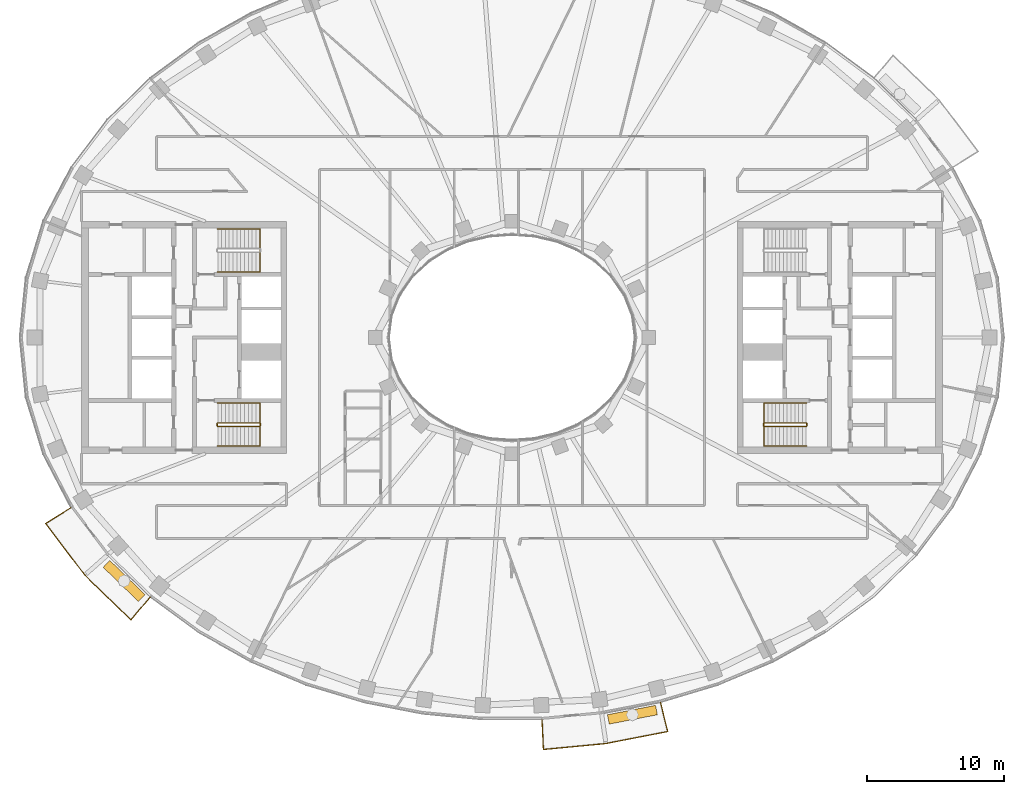
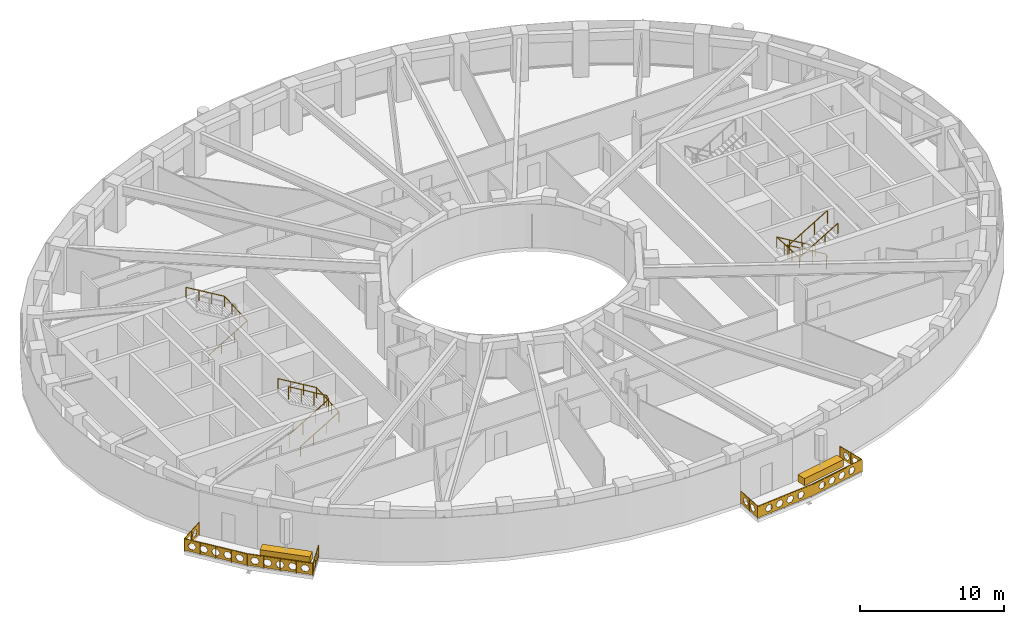
# One storey, part 14 of 16: 7 railings, 2 coverings.
"""IFC4 building model written with IfcOpenShell, lengths in metres."""

from ifc_helpers import new_model, si_unit, direction, frame, origin, origin_2d, place, context, subcontext, project, spatial, polyline, rectangle, outline, extrude, material, type_object, element, save


model = new_model("IFC4")

# Units and contexts
model_context = context("Model", 3, precision=1e-05, world=origin(), true_north=direction((0.0, 1.0)))
body_context = subcontext(model_context, "Body", "Model", "MODEL_VIEW")
ifc_project = project(units=[si_unit("LENGTHUNIT", "METRE"), si_unit("AREAUNIT", "SQUARE_METRE"), si_unit("VOLUMEUNIT", "CUBIC_METRE"), si_unit("PLANEANGLEUNIT", "RADIAN"), si_unit("MASSUNIT", "GRAM", prefix="KILO")], contexts=[model_context])

# Site, building, storey
site_placement = place(None, origin())
site = spatial("IfcSite", under=ifc_project, at=site_placement, CompositionType="ELEMENT")
building_placement = place(site_placement, origin())
building = spatial("IfcBuilding", under=site, at=building_placement, Name="Noorbagh Ring Tower", CompositionType="ELEMENT")
storey_placement = place(building_placement, frame((0.0, 0.0, 245.5)))
storey = spatial("IfcBuildingStorey", under=building, at=storey_placement, Name="L51", CompositionType="ELEMENT", Elevation=245.5)

# Railings
ifc_material_1 = material(Name="Stainless steel", Category="steel")
railing_type_1 = type_object("IfcRailingType", Name="CORE-STAIR-GUARD", PredefinedType="GUARDRAIL", material=ifc_material_1)
railing_1_placement = place(storey_placement, frame((-21.580078125, -6.449951171875, 0.0)))
element("IfcRailing", 1, at=railing_1_placement, inside=storey, type_object=railing_type_1, Name="L51 ST2 stair guard", PredefinedType="GUARDRAIL", context=body_context, shape_type="SweptSolid", body=[
    extrude(rectangle(XDim=0.048095703125, YDim=0.048095703125, at=origin_2d()), frame((0.0, 0.0, 1.076171875), z_axis=(0.0, 1.0, 0.0), x_axis=(-1.0, 0.0, 0.0)), (0.0, 0.0, 1.0), 0.14990234375),
    extrude(rectangle(XDim=0.048095703125, YDim=0.048095703125, at=origin_2d()), frame((0.0, 0.14990234375, 1.076171875), z_axis=(0.188775798145, -0.754182335027, 0.628945707965), x_axis=(0.970072785993, 0.242814311512, 0.0)), (0.0, 0.0, 1.0), 0.26513671875),
    extrude(rectangle(XDim=0.048095703125, YDim=0.048095703125, at=origin_2d()), frame((0.050048828125, -0.050048828125, 1.24267578125), z_axis=(0.859308565015, 0.0, 0.511457515432), x_axis=(0.0, 1.0, 0.0)), (0.0, 0.0, 1.0), 3.58447265625),
    extrude(rectangle(XDim=0.048095703125, YDim=0.048095703125, at=origin_2d()), frame((3.130126953125, -0.050048828125, 3.076171875), z_axis=(0.707106781187, 0.707106781187, 0.0), x_axis=(-0.707106781187, 0.707106781187, 0.0)), (0.0, 0.0, 1.0), 0.07080078125),
    extrude(rectangle(XDim=0.048095703125, YDim=0.048095703125, at=origin_2d()), frame((3.18017578125, 0.0, 3.076171875), z_axis=(0.0, 1.0, 0.0), x_axis=(-1.0, 0.0, 0.0)), (0.0, 0.0, 1.0), 0.14990234375),
    extrude(rectangle(XDim=0.048095703125, YDim=0.048095703125, at=origin_2d()), frame((3.18017578125, 0.14990234375, 3.076171875), z_axis=(-0.27628659633, 0.27628659633, 0.920506074601), x_axis=(-0.707106781187, -0.707106781187, 0.0)), (0.0, 0.0, 1.0), 0.18115234375),
    extrude(rectangle(XDim=0.048095703125, YDim=0.048095703125, at=origin_2d()), frame((3.130126953125, 0.199951171875, 3.24267578125), z_axis=(-0.859308565015, 0.0, 0.511457515432), x_axis=(0.0, -1.0, 0.0)), (0.0, 0.0, 1.0), 3.58447265625),
    extrude(rectangle(XDim=0.0419921875, YDim=0.0419921875, at=origin_2d()), origin(), (0.0, 0.0, 1.0), 1.052001953125),
    extrude(rectangle(XDim=0.0419921875, YDim=0.0419921875, at=origin_2d()), frame((1.07666015625, -0.050048828125, 0.77783203125)), (0.0, 0.0, 1.0), 1.052001953125),
    extrude(rectangle(XDim=0.0419921875, YDim=0.0419921875, at=origin_2d()), frame((2.103515625, -0.050048828125, 1.388916015625)), (0.0, 0.0, 1.0), 1.052001953125),
    extrude(rectangle(XDim=0.0419921875, YDim=0.0419921875, at=origin_2d()), frame((3.130126953125, -0.050048828125, 2.0)), (0.0, 0.0, 1.0), 1.052001953125),
    extrude(rectangle(XDim=0.0419921875, YDim=0.0419921875, at=origin_2d()), frame((3.130126953125, 0.199951171875, 2.166748046875)), (0.0, 0.0, 1.0), 1.052001953125),
    extrude(rectangle(XDim=0.0419921875, YDim=0.0419921875, at=origin_2d()), frame((2.103515625, 0.199951171875, 2.77783203125)), (0.0, 0.0, 1.0), 1.052001953125),
    extrude(rectangle(XDim=0.0419921875, YDim=0.0419921875, at=origin_2d()), frame((1.07666015625, 0.199951171875, 3.388916015625)), (0.0, 0.0, 1.0), 1.052001953125),
    extrude(rectangle(XDim=0.0419921875, YDim=0.0419921875, at=origin_2d()), frame((0.050048828125, 0.199951171875, 4.0)), (0.0, 0.0, 1.0), 1.052001953125),
])
railing_2_placement = place(storey_placement, frame((21.580078125, -6.300048828125, 0.0)))
element("IfcRailing", 2, at=railing_2_placement, inside=storey, type_object=railing_type_1, Name="L51 ST4 stair guard", PredefinedType="GUARDRAIL", context=body_context, shape_type="SweptSolid", body=[
    extrude(rectangle(XDim=0.048095703125, YDim=0.048095703125, at=origin_2d()), frame((0.0, 0.0, 1.076171875), z_axis=(0.0, -1.0, 0.0), x_axis=(1.0, 0.0, 0.0)), (0.0, 0.0, 1.0), 0.14990234375),
    extrude(rectangle(XDim=0.048095703125, YDim=0.048095703125, at=origin_2d()), frame((0.0, -0.14990234375, 1.076171875), z_axis=(-0.188775798145, 0.754182335027, 0.628945707965), x_axis=(-0.970072785993, -0.242814311512, 0.0)), (0.0, 0.0, 1.0), 0.26513671875),
    extrude(rectangle(XDim=0.048095703125, YDim=0.048095703125, at=origin_2d()), frame((-0.050048828125, 0.050048828125, 1.24267578125), z_axis=(-0.859308565015, 0.0, 0.511457515432), x_axis=(0.0, -1.0, 0.0)), (0.0, 0.0, 1.0), 3.58447265625),
    extrude(rectangle(XDim=0.048095703125, YDim=0.048095703125, at=origin_2d()), frame((-3.130126953125, 0.050048828125, 3.076171875), z_axis=(-0.707106781187, -0.707106781187, 0.0), x_axis=(0.707106781187, -0.707106781187, 0.0)), (0.0, 0.0, 1.0), 0.07080078125),
    extrude(rectangle(XDim=0.048095703125, YDim=0.048095703125, at=origin_2d()), frame((-3.18017578125, 0.0, 3.076171875), z_axis=(0.0, -1.0, 0.0), x_axis=(1.0, 0.0, 0.0)), (0.0, 0.0, 1.0), 0.14990234375),
    extrude(rectangle(XDim=0.048095703125, YDim=0.048095703125, at=origin_2d()), frame((-3.18017578125, -0.14990234375, 3.076171875), z_axis=(0.27628659633, -0.27628659633, 0.920506074601), x_axis=(0.707106781187, 0.707106781187, 0.0)), (0.0, 0.0, 1.0), 0.18115234375),
    extrude(rectangle(XDim=0.048095703125, YDim=0.048095703125, at=origin_2d()), frame((-3.130126953125, -0.199951171875, 3.24267578125), z_axis=(0.859308565015, 0.0, 0.511457515432), x_axis=(0.0, 1.0, 0.0)), (0.0, 0.0, 1.0), 3.58447265625),
    extrude(rectangle(XDim=0.0419921875, YDim=0.0419921875, at=origin_2d()), origin(), (0.0, 0.0, 1.0), 1.052001953125),
    extrude(rectangle(XDim=0.0419921875, YDim=0.0419921875, at=origin_2d()), frame((-1.07666015625, 0.050048828125, 0.77783203125)), (0.0, 0.0, 1.0), 1.052001953125),
    extrude(rectangle(XDim=0.0419921875, YDim=0.0419921875, at=origin_2d()), frame((-2.103515625, 0.050048828125, 1.388916015625)), (0.0, 0.0, 1.0), 1.052001953125),
    extrude(rectangle(XDim=0.0419921875, YDim=0.0419921875, at=origin_2d()), frame((-3.130126953125, 0.050048828125, 2.0)), (0.0, 0.0, 1.0), 1.052001953125),
    extrude(rectangle(XDim=0.0419921875, YDim=0.0419921875, at=origin_2d()), frame((-3.130126953125, -0.199951171875, 2.166748046875)), (0.0, 0.0, 1.0), 1.052001953125),
    extrude(rectangle(XDim=0.0419921875, YDim=0.0419921875, at=origin_2d()), frame((-2.103515625, -0.199951171875, 2.77783203125)), (0.0, 0.0, 1.0), 1.052001953125),
    extrude(rectangle(XDim=0.0419921875, YDim=0.0419921875, at=origin_2d()), frame((-1.07666015625, -0.199951171875, 3.388916015625)), (0.0, 0.0, 1.0), 1.052001953125),
    extrude(rectangle(XDim=0.0419921875, YDim=0.0419921875, at=origin_2d()), frame((-0.050048828125, -0.199951171875, 4.0)), (0.0, 0.0, 1.0), 1.052001953125),
])
ifc_material_2 = material(Name="Stainless steel", Category="steel")
railing_type_2 = type_object("IfcRailingType", Name="CORE-STAIR-HANDRAIL", PredefinedType="HANDRAIL", material=ifc_material_2)
railing_3_placement = place(storey_placement, frame((-21.530029296875, 4.800048828125, 0.166748046875)))
element("IfcRailing", 3, at=railing_3_placement, inside=storey, type_object=railing_type_2, Name="L51 ST1 stair handrail", PredefinedType="HANDRAIL", context=body_context, shape_type="SweptSolid", body=[
    extrude(rectangle(XDim=0.048095703125, YDim=0.048095703125, at=origin_2d()), frame((0.0, 0.0, 0.8759765625), z_axis=(0.859308565015, 0.0, 0.511457515432), x_axis=(0.0, 1.0, 0.0)), (0.0, 0.0, 1.0), 3.58447265625),
    extrude(rectangle(XDim=0.048095703125, YDim=0.048095703125, at=origin_2d()), frame((3.080078125, 0.0, 2.708984375), z_axis=(0.0, 0.998601747152, 0.052863509014), x_axis=(-1.0, 0.0, 0.0)), (0.0, 0.0, 1.0), 3.154296875),
    extrude(rectangle(XDim=0.048095703125, YDim=0.048095703125, at=origin_2d()), frame((3.080078125, 3.14990234375, 2.8759765625), z_axis=(-0.859308565015, 0.0, 0.511457515432), x_axis=(0.0, -1.0, 0.0)), (0.0, 0.0, 1.0), 3.58447265625),
    extrude(rectangle(XDim=0.0419921875, YDim=0.0419921875, at=origin_2d()), origin(), (0.0, 0.0, 1.0), 0.851806640625),
    extrude(rectangle(XDim=0.0419921875, YDim=0.0419921875, at=origin_2d()), frame((1.026611328125, 0.0, 0.611083984375)), (0.0, 0.0, 1.0), 0.851806640625),
    extrude(rectangle(XDim=0.0419921875, YDim=0.0419921875, at=origin_2d()), frame((2.053466796875, 0.0, 1.22216796875)), (0.0, 0.0, 1.0), 0.851806640625),
    extrude(rectangle(XDim=0.0419921875, YDim=0.0419921875, at=origin_2d()), frame((3.080078125, 0.0, 1.833251953125)), (0.0, 0.0, 1.0), 0.851806640625),
    extrude(rectangle(XDim=0.0419921875, YDim=0.0419921875, at=origin_2d()), frame((3.080078125, 1.050048828125, 1.888916015625)), (0.0, 0.0, 1.0), 0.851806640625),
    extrude(rectangle(XDim=0.0419921875, YDim=0.0419921875, at=origin_2d()), frame((3.080078125, 2.099853515625, 1.9443359375)), (0.0, 0.0, 1.0), 0.851806640625),
    extrude(rectangle(XDim=0.0419921875, YDim=0.0419921875, at=origin_2d()), frame((3.080078125, 3.14990234375, 2.0)), (0.0, 0.0, 1.0), 0.851806640625),
    extrude(rectangle(XDim=0.0419921875, YDim=0.0419921875, at=origin_2d()), frame((2.053466796875, 3.14990234375, 2.611083984375)), (0.0, 0.0, 1.0), 0.851806640625),
    extrude(rectangle(XDim=0.0419921875, YDim=0.0419921875, at=origin_2d()), frame((1.026611328125, 3.14990234375, 3.22216796875)), (0.0, 0.0, 1.0), 0.851806640625),
    extrude(rectangle(XDim=0.0419921875, YDim=0.0419921875, at=origin_2d()), frame((0.0, 3.14990234375, 3.833251953125)), (0.0, 0.0, 1.0), 0.851806640625),
])
railing_4_placement = place(storey_placement, frame((-21.530029296875, -7.949951171875, 0.166748046875)))
element("IfcRailing", 4, at=railing_4_placement, inside=storey, type_object=railing_type_2, Name="L51 ST2 stair handrail", PredefinedType="HANDRAIL", context=body_context, shape_type="SweptSolid", body=[
    extrude(rectangle(XDim=0.048095703125, YDim=0.048095703125, at=origin_2d()), frame((0.0, 0.0, 0.8759765625), z_axis=(0.859308565015, 0.0, 0.511457515432), x_axis=(0.0, 1.0, 0.0)), (0.0, 0.0, 1.0), 3.58447265625),
    extrude(rectangle(XDim=0.048095703125, YDim=0.048095703125, at=origin_2d()), frame((3.080078125, 0.0, 2.708984375), z_axis=(0.0, 0.998601747152, 0.052863509014), x_axis=(-1.0, 0.0, 0.0)), (0.0, 0.0, 1.0), 3.154296875),
    extrude(rectangle(XDim=0.048095703125, YDim=0.048095703125, at=origin_2d()), frame((3.080078125, 3.14990234375, 2.8759765625), z_axis=(-0.859308565015, 0.0, 0.511457515432), x_axis=(0.0, -1.0, 0.0)), (0.0, 0.0, 1.0), 3.58447265625),
    extrude(rectangle(XDim=0.0419921875, YDim=0.0419921875, at=origin_2d()), origin(), (0.0, 0.0, 1.0), 0.851806640625),
    extrude(rectangle(XDim=0.0419921875, YDim=0.0419921875, at=origin_2d()), frame((1.026611328125, 0.0, 0.611083984375)), (0.0, 0.0, 1.0), 0.851806640625),
    extrude(rectangle(XDim=0.0419921875, YDim=0.0419921875, at=origin_2d()), frame((2.053466796875, 0.0, 1.22216796875)), (0.0, 0.0, 1.0), 0.851806640625),
    extrude(rectangle(XDim=0.0419921875, YDim=0.0419921875, at=origin_2d()), frame((3.080078125, 0.0, 1.833251953125)), (0.0, 0.0, 1.0), 0.851806640625),
    extrude(rectangle(XDim=0.0419921875, YDim=0.0419921875, at=origin_2d()), frame((3.080078125, 1.050048828125, 1.888916015625)), (0.0, 0.0, 1.0), 0.851806640625),
    extrude(rectangle(XDim=0.0419921875, YDim=0.0419921875, at=origin_2d()), frame((3.080078125, 2.099853515625, 1.9443359375)), (0.0, 0.0, 1.0), 0.851806640625),
    extrude(rectangle(XDim=0.0419921875, YDim=0.0419921875, at=origin_2d()), frame((3.080078125, 3.14990234375, 2.0)), (0.0, 0.0, 1.0), 0.851806640625),
    extrude(rectangle(XDim=0.0419921875, YDim=0.0419921875, at=origin_2d()), frame((2.053466796875, 3.14990234375, 2.611083984375)), (0.0, 0.0, 1.0), 0.851806640625),
    extrude(rectangle(XDim=0.0419921875, YDim=0.0419921875, at=origin_2d()), frame((1.026611328125, 3.14990234375, 3.22216796875)), (0.0, 0.0, 1.0), 0.851806640625),
    extrude(rectangle(XDim=0.0419921875, YDim=0.0419921875, at=origin_2d()), frame((0.0, 3.14990234375, 3.833251953125)), (0.0, 0.0, 1.0), 0.851806640625),
])
railing_5_placement = place(storey_placement, frame((21.530029296875, -4.800048828125, 0.166748046875)))
element("IfcRailing", 5, at=railing_5_placement, inside=storey, type_object=railing_type_2, Name="L51 ST4 stair handrail", PredefinedType="HANDRAIL", context=body_context, shape_type="SweptSolid", body=[
    extrude(rectangle(XDim=0.048095703125, YDim=0.048095703125, at=origin_2d()), frame((0.0, 0.0, 0.8759765625), z_axis=(-0.859308565015, 0.0, 0.511457515432), x_axis=(0.0, -1.0, 0.0)), (0.0, 0.0, 1.0), 3.58447265625),
    extrude(rectangle(XDim=0.048095703125, YDim=0.048095703125, at=origin_2d()), frame((-3.080078125, 0.0, 2.708984375), z_axis=(0.0, -0.998601747152, 0.052863509014), x_axis=(1.0, 0.0, 0.0)), (0.0, 0.0, 1.0), 3.154296875),
    extrude(rectangle(XDim=0.048095703125, YDim=0.048095703125, at=origin_2d()), frame((-3.080078125, -3.14990234375, 2.8759765625), z_axis=(0.859308565015, 0.0, 0.511457515432), x_axis=(0.0, 1.0, 0.0)), (0.0, 0.0, 1.0), 3.58447265625),
    extrude(rectangle(XDim=0.0419921875, YDim=0.0419921875, at=origin_2d()), origin(), (0.0, 0.0, 1.0), 0.851806640625),
    extrude(rectangle(XDim=0.0419921875, YDim=0.0419921875, at=origin_2d()), frame((-1.026611328125, 0.0, 0.611083984375)), (0.0, 0.0, 1.0), 0.851806640625),
    extrude(rectangle(XDim=0.0419921875, YDim=0.0419921875, at=origin_2d()), frame((-2.053466796875, 0.0, 1.22216796875)), (0.0, 0.0, 1.0), 0.851806640625),
    extrude(rectangle(XDim=0.0419921875, YDim=0.0419921875, at=origin_2d()), frame((-3.080078125, 0.0, 1.833251953125)), (0.0, 0.0, 1.0), 0.851806640625),
    extrude(rectangle(XDim=0.0419921875, YDim=0.0419921875, at=origin_2d()), frame((-3.080078125, -1.050048828125, 1.888916015625)), (0.0, 0.0, 1.0), 0.851806640625),
    extrude(rectangle(XDim=0.0419921875, YDim=0.0419921875, at=origin_2d()), frame((-3.080078125, -2.099853515625, 1.9443359375)), (0.0, 0.0, 1.0), 0.851806640625),
    extrude(rectangle(XDim=0.0419921875, YDim=0.0419921875, at=origin_2d()), frame((-3.080078125, -3.14990234375, 2.0)), (0.0, 0.0, 1.0), 0.851806640625),
    extrude(rectangle(XDim=0.0419921875, YDim=0.0419921875, at=origin_2d()), frame((-2.053466796875, -3.14990234375, 2.611083984375)), (0.0, 0.0, 1.0), 0.851806640625),
    extrude(rectangle(XDim=0.0419921875, YDim=0.0419921875, at=origin_2d()), frame((-1.026611328125, -3.14990234375, 3.22216796875)), (0.0, 0.0, 1.0), 0.851806640625),
    extrude(rectangle(XDim=0.0419921875, YDim=0.0419921875, at=origin_2d()), frame((0.0, -3.14990234375, 3.833251953125)), (0.0, 0.0, 1.0), 0.851806640625),
])
ifc_material_3 = material(Name="Steel S275 black powder-coated", Category="steel")
railing_type_3 = type_object("IfcRailingType", Name="ENV-GUARD", PredefinedType="GUARDRAIL", material=ifc_material_3)
railing_6_placement = place(storey_placement, frame((-32.255126953125, -12.434814453125, 0.0)))
element("IfcRailing", 6, at=railing_6_placement, inside=storey, type_object=railing_type_3, Name="Balcony guard BS01", PredefinedType="GUARDRAIL", context=body_context, shape_type="SweptSolid", body=[
    extrude(rectangle(XDim=0.048095703125, YDim=0.048095703125, at=origin_2d()), frame((0.0, 0.0, 1.076171875), z_axis=(-0.844852397829, -0.534999463442, 0.0), x_axis=(0.534999463442, -0.844852397829, 0.0)), (0.0, 0.0, 1.0), 2.207763671875),
    extrude(rectangle(XDim=0.048095703125, YDim=0.048095703125, at=origin_2d()), frame((-1.865234375, -1.18115234375, 1.076171875), z_axis=(0.604001613322, -0.796983093362, 0.0), x_axis=(0.796983093362, 0.604001613322, 0.0)), (0.0, 0.0, 1.0), 4.7353515625),
    extrude(rectangle(XDim=0.048095703125, YDim=0.048095703125, at=origin_2d()), frame((0.994873046875, -4.955078125, 1.076171875), z_axis=(0.717212632946, -0.696854388766, 0.0), x_axis=(0.696854388766, 0.717212632946, 0.0)), (0.0, 0.0, 1.0), 4.700927734375),
    extrude(rectangle(XDim=0.048095703125, YDim=0.048095703125, at=origin_2d()), frame((4.366455078125, -8.23095703125, 1.076171875), z_axis=(0.646413574048, 0.762987215677, 0.0), x_axis=(-0.762987215677, 0.646413574048, 0.0)), (0.0, 0.0, 1.0), 2.205322265625),
    extrude(rectangle(XDim=0.0419921875, YDim=0.0419921875, at=origin_2d()), origin(), (0.0, 0.0, 1.0), 1.052001953125),
    extrude(rectangle(XDim=0.0419921875, YDim=0.0419921875, at=origin_2d()), frame((-0.9326171875, -0.590576171875, 0.0)), (0.0, 0.0, 1.0), 1.052001953125),
    extrude(rectangle(XDim=0.0419921875, YDim=0.0419921875, at=origin_2d()), frame((-1.865234375, -1.18115234375, 0.0)), (0.0, 0.0, 1.0), 1.052001953125),
    extrude(rectangle(XDim=0.0419921875, YDim=0.0419921875, at=origin_2d()), frame((-1.150146484375, -2.12451171875, 0.0)), (0.0, 0.0, 1.0), 1.052001953125),
    extrude(rectangle(XDim=0.0419921875, YDim=0.0419921875, at=origin_2d()), frame((-0.43505859375, -3.068115234375, 0.0)), (0.0, 0.0, 1.0), 1.052001953125),
    extrude(rectangle(XDim=0.0419921875, YDim=0.0419921875, at=origin_2d()), frame((0.27978515625, -4.01171875, 0.0)), (0.0, 0.0, 1.0), 1.052001953125),
    extrude(rectangle(XDim=0.0419921875, YDim=0.0419921875, at=origin_2d()), frame((0.994873046875, -4.955078125, 0.0)), (0.0, 0.0, 1.0), 1.052001953125),
    extrude(rectangle(XDim=0.0419921875, YDim=0.0419921875, at=origin_2d()), frame((1.837890625, -5.77392578125, 0.0)), (0.0, 0.0, 1.0), 1.052001953125),
    extrude(rectangle(XDim=0.0419921875, YDim=0.0419921875, at=origin_2d()), frame((2.6806640625, -6.593017578125, 0.0)), (0.0, 0.0, 1.0), 1.052001953125),
    extrude(rectangle(XDim=0.0419921875, YDim=0.0419921875, at=origin_2d()), frame((3.5234375, -7.412109375, 0.0)), (0.0, 0.0, 1.0), 1.052001953125),
    extrude(rectangle(XDim=0.0419921875, YDim=0.0419921875, at=origin_2d()), frame((4.366455078125, -8.23095703125, 0.0)), (0.0, 0.0, 1.0), 1.052001953125),
    extrude(rectangle(XDim=0.0419921875, YDim=0.0419921875, at=origin_2d()), frame((5.0791015625, -7.3896484375, 0.0)), (0.0, 0.0, 1.0), 1.052001953125),
    extrude(rectangle(XDim=0.0419921875, YDim=0.0419921875, at=origin_2d()), frame((5.7919921875, -6.54833984375, 0.0)), (0.0, 0.0, 1.0), 1.052001953125),
    extrude(outline(polyline([(0.0, 0.10009765625), (2.207763671875, 0.10009765625), (2.207763671875, 1.031982421875), (0.0, 1.031982421875), (0.0, 0.10009765625)]), holes=[polyline([(0.9638671875, 0.56591796875), (0.808837890625, 0.83447265625), (0.498779296875, 0.83447265625), (0.343994140625, 0.56591796875), (0.498779296875, 0.297607421875), (0.808837890625, 0.297607421875), (0.9638671875, 0.56591796875)]), polyline([(1.86376953125, 0.56591796875), (1.708984375, 0.83447265625), (1.39892578125, 0.83447265625), (1.243896484375, 0.56591796875), (1.39892578125, 0.297607421875), (1.708984375, 0.297607421875), (1.86376953125, 0.56591796875)])]), frame((0.00537109375, -0.008544921875, 0.0), z_axis=(-0.534999463442, 0.844852397829, 0.0), x_axis=(-0.844852397829, -0.534999463442, 0.0)), (0.0, 0.0, 1.0), 0.02001953125),
    extrude(outline(polyline([(0.0, 0.10009765625), (4.7353515625, 0.10009765625), (4.7353515625, 1.031982421875), (0.0, 1.031982421875), (0.0, 0.10009765625)]), holes=[polyline([(0.877685546875, 0.56591796875), (0.72265625, 0.83447265625), (0.41259765625, 0.83447265625), (0.257568359375, 0.56591796875), (0.41259765625, 0.297607421875), (0.72265625, 0.297607421875), (0.877685546875, 0.56591796875)]), polyline([(1.777587890625, 0.56591796875), (1.62255859375, 0.83447265625), (1.312744140625, 0.83447265625), (1.15771484375, 0.56591796875), (1.312744140625, 0.297607421875), (1.62255859375, 0.297607421875), (1.777587890625, 0.56591796875)]), polyline([(2.677734375, 0.56591796875), (2.522705078125, 0.83447265625), (2.212646484375, 0.83447265625), (2.0576171875, 0.56591796875), (2.212646484375, 0.297607421875), (2.522705078125, 0.297607421875), (2.677734375, 0.56591796875)]), polyline([(3.57763671875, 0.56591796875), (3.422607421875, 0.83447265625), (3.112548828125, 0.83447265625), (2.95751953125, 0.56591796875), (3.112548828125, 0.297607421875), (3.422607421875, 0.297607421875), (3.57763671875, 0.56591796875)]), polyline([(4.4775390625, 0.56591796875), (4.32275390625, 0.83447265625), (4.0126953125, 0.83447265625), (3.857666015625, 0.56591796875), (4.0126953125, 0.297607421875), (4.32275390625, 0.297607421875), (4.4775390625, 0.56591796875)])]), frame((-1.857177734375, -1.175048828125, 0.0), z_axis=(-0.796983093362, -0.604001613322, 0.0), x_axis=(0.604001613322, -0.796983093362, 0.0)), (0.0, 0.0, 1.0), 0.02001953125),
    extrude(outline(polyline([(0.0, 0.10009765625), (4.700927734375, 0.10009765625), (4.700927734375, 1.031982421875), (0.0, 1.031982421875), (0.0, 0.10009765625)]), holes=[polyline([(0.860595703125, 0.56591796875), (0.70556640625, 0.83447265625), (0.3955078125, 0.83447265625), (0.240478515625, 0.56591796875), (0.3955078125, 0.297607421875), (0.70556640625, 0.297607421875), (0.860595703125, 0.56591796875)]), polyline([(1.760498046875, 0.56591796875), (1.60546875, 0.83447265625), (1.29541015625, 0.83447265625), (1.140380859375, 0.56591796875), (1.29541015625, 0.297607421875), (1.60546875, 0.297607421875), (1.760498046875, 0.56591796875)]), polyline([(2.660400390625, 0.56591796875), (2.50537109375, 0.83447265625), (2.195556640625, 0.83447265625), (2.04052734375, 0.56591796875), (2.195556640625, 0.297607421875), (2.50537109375, 0.297607421875), (2.660400390625, 0.56591796875)]), polyline([(3.560546875, 0.56591796875), (3.405517578125, 0.83447265625), (3.095458984375, 0.83447265625), (2.9404296875, 0.56591796875), (3.095458984375, 0.297607421875), (3.405517578125, 0.297607421875), (3.560546875, 0.56591796875)]), polyline([(4.46044921875, 0.56591796875), (4.305419921875, 0.83447265625), (3.995361328125, 0.83447265625), (3.840576171875, 0.56591796875), (3.995361328125, 0.297607421875), (4.305419921875, 0.297607421875), (4.46044921875, 0.56591796875)])]), frame((1.001953125, -4.947998046875, 0.0), z_axis=(-0.696854388766, -0.717212632946, 0.0), x_axis=(0.717212632946, -0.696854388766, 0.0)), (0.0, 0.0, 1.0), 0.02001953125),
    extrude(outline(polyline([(0.0, 0.10009765625), (2.205322265625, 0.10009765625), (2.205322265625, 1.031982421875), (0.0, 1.031982421875), (0.0, 0.10009765625)]), holes=[polyline([(0.962646484375, 0.56591796875), (0.8076171875, 0.83447265625), (0.49755859375, 0.83447265625), (0.342529296875, 0.56591796875), (0.49755859375, 0.297607421875), (0.8076171875, 0.297607421875), (0.962646484375, 0.56591796875)]), polyline([(1.862548828125, 0.56591796875), (1.707763671875, 0.83447265625), (1.397705078125, 0.83447265625), (1.24267578125, 0.56591796875), (1.397705078125, 0.297607421875), (1.707763671875, 0.297607421875), (1.862548828125, 0.56591796875)])]), frame((4.35888671875, -8.224609375, 0.0), z_axis=(0.762987215677, -0.646413574048, 0.0), x_axis=(0.646413574048, 0.762987215677, 0.0)), (0.0, 0.0, 1.0), 0.02001953125),
])
railing_7_placement = place(storey_placement, frame((2.193115234375, -27.947998046875, 0.0)))
element("IfcRailing", 7, at=railing_7_placement, inside=storey, type_object=railing_type_3, Name="Balcony guard BS04", PredefinedType="GUARDRAIL", context=body_context, shape_type="SweptSolid", body=[
    extrude(rectangle(XDim=0.048095703125, YDim=0.048095703125, at=origin_2d()), frame((0.0, 0.0, 1.076171875), z_axis=(0.047554616162, -0.998868639252, 0.0), x_axis=(0.998868639252, 0.047554616162, 0.0)), (0.0, 0.0, 1.0), 2.202392578125),
    extrude(rectangle(XDim=0.048095703125, YDim=0.048095703125, at=origin_2d()), frame((0.104736328125, -2.199951171875, 1.076171875), z_axis=(0.995477555764, 0.094997031379, 0.0), x_axis=(-0.094997031379, 0.995477555764, 0.0)), (0.0, 0.0, 1.0), 4.59765625),
    extrude(rectangle(XDim=0.048095703125, YDim=0.048095703125, at=origin_2d()), frame((4.681640625, -1.76318359375, 1.076171875), z_axis=(0.981625049064, 0.1908199755, 0.0), x_axis=(-0.1908199755, 0.981625049064, 0.0)), (0.0, 0.0, 1.0), 4.603271484375),
    extrude(rectangle(XDim=0.048095703125, YDim=0.048095703125, at=origin_2d()), frame((9.200439453125, -0.884765625, 1.076171875), z_axis=(-0.239848558412, 0.970810315679, 0.0), x_axis=(-0.970810315679, -0.239848558412, 0.0)), (0.0, 0.0, 1.0), 2.20263671875),
    extrude(rectangle(XDim=0.0419921875, YDim=0.0419921875, at=origin_2d()), origin(), (0.0, 0.0, 1.0), 1.052001953125),
    extrude(rectangle(XDim=0.0419921875, YDim=0.0419921875, at=origin_2d()), frame((0.05224609375, -1.10009765625, 0.0)), (0.0, 0.0, 1.0), 1.052001953125),
    extrude(rectangle(XDim=0.0419921875, YDim=0.0419921875, at=origin_2d()), frame((0.104736328125, -2.199951171875, 0.0)), (0.0, 0.0, 1.0), 1.052001953125),
    extrude(rectangle(XDim=0.0419921875, YDim=0.0419921875, at=origin_2d()), frame((1.2490234375, -2.0908203125, 0.0)), (0.0, 0.0, 1.0), 1.052001953125),
    extrude(rectangle(XDim=0.0419921875, YDim=0.0419921875, at=origin_2d()), frame((2.39306640625, -1.9814453125, 0.0)), (0.0, 0.0, 1.0), 1.052001953125),
    extrude(rectangle(XDim=0.0419921875, YDim=0.0419921875, at=origin_2d()), frame((3.537353515625, -1.872314453125, 0.0)), (0.0, 0.0, 1.0), 1.052001953125),
    extrude(rectangle(XDim=0.0419921875, YDim=0.0419921875, at=origin_2d()), frame((4.681640625, -1.76318359375, 0.0)), (0.0, 0.0, 1.0), 1.052001953125),
    extrude(rectangle(XDim=0.0419921875, YDim=0.0419921875, at=origin_2d()), frame((5.811279296875, -1.54345703125, 0.0)), (0.0, 0.0, 1.0), 1.052001953125),
    extrude(rectangle(XDim=0.0419921875, YDim=0.0419921875, at=origin_2d()), frame((6.94091796875, -1.323974609375, 0.0)), (0.0, 0.0, 1.0), 1.052001953125),
    extrude(rectangle(XDim=0.0419921875, YDim=0.0419921875, at=origin_2d()), frame((8.07080078125, -1.1044921875, 0.0)), (0.0, 0.0, 1.0), 1.052001953125),
    extrude(rectangle(XDim=0.0419921875, YDim=0.0419921875, at=origin_2d()), frame((9.200439453125, -0.884765625, 0.0)), (0.0, 0.0, 1.0), 1.052001953125),
    extrude(rectangle(XDim=0.0419921875, YDim=0.0419921875, at=origin_2d()), frame((8.936279296875, 0.1845703125, 0.0)), (0.0, 0.0, 1.0), 1.052001953125),
    extrude(rectangle(XDim=0.0419921875, YDim=0.0419921875, at=origin_2d()), frame((8.672119140625, 1.253662109375, 0.0)), (0.0, 0.0, 1.0), 1.052001953125),
    extrude(outline(polyline([(0.0, 0.10009765625), (2.202392578125, 0.10009765625), (2.202392578125, 1.031982421875), (0.0, 1.031982421875), (0.0, 0.10009765625)]), holes=[polyline([(0.961181640625, 0.56591796875), (0.80615234375, 0.83447265625), (0.496337890625, 0.83447265625), (0.34130859375, 0.56591796875), (0.496337890625, 0.297607421875), (0.80615234375, 0.297607421875), (0.961181640625, 0.56591796875)]), polyline([(1.861328125, 0.56591796875), (1.706298828125, 0.83447265625), (1.396240234375, 0.83447265625), (1.2412109375, 0.56591796875), (1.396240234375, 0.297607421875), (1.706298828125, 0.297607421875), (1.861328125, 0.56591796875)])]), frame((0.010009765625, 0.00048828125, 0.0), z_axis=(-0.998868639252, -0.047554616162, 0.0), x_axis=(0.047554616162, -0.998868639252, 0.0)), (0.0, 0.0, 1.0), 0.02001953125),
    extrude(outline(polyline([(0.0, 0.10009765625), (4.59765625, 0.10009765625), (4.59765625, 1.031982421875), (0.0, 1.031982421875), (0.0, 0.10009765625)]), holes=[polyline([(1.2587890625, 0.56591796875), (1.103759765625, 0.83447265625), (0.7939453125, 0.83447265625), (0.638916015625, 0.56591796875), (0.7939453125, 0.297607421875), (1.103759765625, 0.297607421875), (1.2587890625, 0.56591796875)]), polyline([(2.158935546875, 0.56591796875), (2.00390625, 0.83447265625), (1.69384765625, 0.83447265625), (1.538818359375, 0.56591796875), (1.69384765625, 0.297607421875), (2.00390625, 0.297607421875), (2.158935546875, 0.56591796875)]), polyline([(3.058837890625, 0.56591796875), (2.90380859375, 0.83447265625), (2.59375, 0.83447265625), (2.43896484375, 0.56591796875), (2.59375, 0.297607421875), (2.90380859375, 0.297607421875), (3.058837890625, 0.56591796875)]), polyline([(3.958740234375, 0.56591796875), (3.803955078125, 0.83447265625), (3.493896484375, 0.83447265625), (3.3388671875, 0.56591796875), (3.493896484375, 0.297607421875), (3.803955078125, 0.297607421875), (3.958740234375, 0.56591796875)])]), frame((0.103759765625, -2.18994140625, 0.0), z_axis=(0.094997031379, -0.995477555764, 0.0), x_axis=(0.995477555764, 0.094997031379, 0.0)), (0.0, 0.0, 1.0), 0.02001953125),
    extrude(outline(polyline([(0.0, 0.10009765625), (4.603271484375, 0.10009765625), (4.603271484375, 1.031982421875), (0.0, 1.031982421875), (0.0, 0.10009765625)]), holes=[polyline([(1.26171875, 0.56591796875), (1.106689453125, 0.83447265625), (0.796630859375, 0.83447265625), (0.6416015625, 0.56591796875), (0.796630859375, 0.297607421875), (1.106689453125, 0.297607421875), (1.26171875, 0.56591796875)]), polyline([(2.16162109375, 0.56591796875), (2.006591796875, 0.83447265625), (1.69677734375, 0.83447265625), (1.541748046875, 0.56591796875), (1.69677734375, 0.297607421875), (2.006591796875, 0.297607421875), (2.16162109375, 0.56591796875)]), polyline([(3.061767578125, 0.56591796875), (2.90673828125, 0.83447265625), (2.5966796875, 0.83447265625), (2.441650390625, 0.56591796875), (2.5966796875, 0.297607421875), (2.90673828125, 0.297607421875), (3.061767578125, 0.56591796875)]), polyline([(3.961669921875, 0.56591796875), (3.806640625, 0.83447265625), (3.49658203125, 0.83447265625), (3.341796875, 0.56591796875), (3.49658203125, 0.297607421875), (3.806640625, 0.297607421875), (3.961669921875, 0.56591796875)])]), frame((4.6796875, -1.75341796875, 0.0), z_axis=(0.1908199755, -0.981625049064, 0.0), x_axis=(0.981625049064, 0.1908199755, 0.0)), (0.0, 0.0, 1.0), 0.02001953125),
    extrude(outline(polyline([(0.0, 0.10009765625), (2.20263671875, 0.10009765625), (2.20263671875, 1.031982421875), (0.0, 1.031982421875), (0.0, 0.10009765625)]), holes=[polyline([(0.96142578125, 0.56591796875), (0.806396484375, 0.83447265625), (0.496337890625, 0.83447265625), (0.34130859375, 0.56591796875), (0.496337890625, 0.297607421875), (0.806396484375, 0.297607421875), (0.96142578125, 0.56591796875)]), polyline([(1.861328125, 0.56591796875), (1.706298828125, 0.83447265625), (1.396240234375, 0.83447265625), (1.241455078125, 0.56591796875), (1.396240234375, 0.297607421875), (1.706298828125, 0.297607421875), (1.861328125, 0.56591796875)])]), frame((9.190673828125, -0.88720703125, 0.0), z_axis=(0.970810315679, 0.239848558412, 0.0), x_axis=(-0.239848558412, 0.970810315679, 0.0)), (0.0, 0.0, 1.0), 0.02001953125),
])

# Coverings
ifc_material_4 = material(Name="Concrete C30/37 planter with soil", Category="concrete")
covering_type = type_object("IfcCoveringType", Name="ENV-PLANTER", PredefinedType="CLADDING", material=ifc_material_4)
covering_1_placement = place(storey_placement, frame((-28.3837890625, -17.814208984375, 0.0), z_axis=(0.0, 0.0, 1.0), x_axis=(0.717224548362, -0.696842125038, 0.0)))
element("IfcCovering", 8, at=covering_1_placement, inside=storey, type_object=covering_type, Name="PLANTER BS01", ObjectType="PLANTER", PredefinedType="CLADDING", context=body_context, shape_type="SweptSolid", body=[
    extrude(rectangle(XDim=3.584228515625, YDim=0.699951171875, at=origin_2d()), origin(), (0.0, 0.0, 1.0), 0.60009765625),
])
covering_2_placement = place(storey_placement, frame((8.807861328125, -27.603515625, 0.0), z_axis=(0.0, 0.0, 1.0), x_axis=(0.981624952922, 0.190820470077, 0.0)))
element("IfcCovering", 9, at=covering_2_placement, inside=storey, type_object=covering_type, Name="PLANTER BS04", ObjectType="PLANTER", PredefinedType="CLADDING", context=body_context, shape_type="SweptSolid", body=[
    extrude(rectangle(XDim=3.586181640625, YDim=0.699951171875, at=origin_2d()), origin(), (0.0, 0.0, 1.0), 0.60009765625),
])

save(model, "model.ifc")
